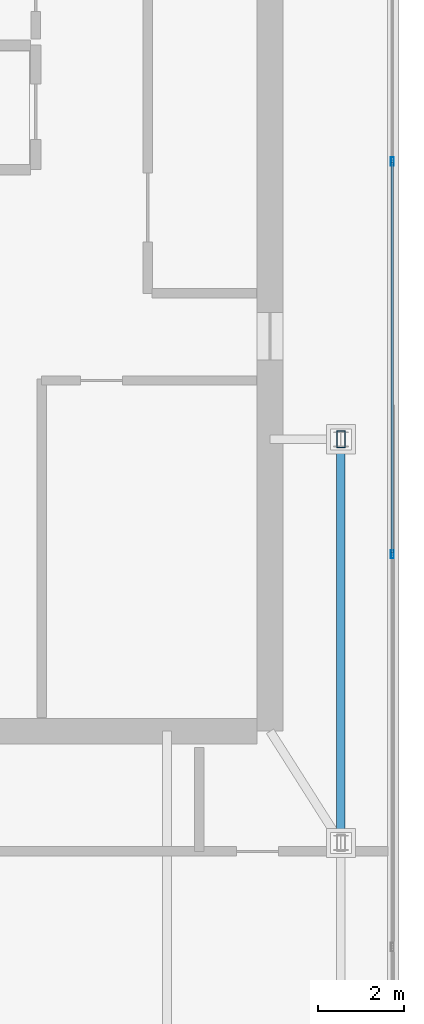
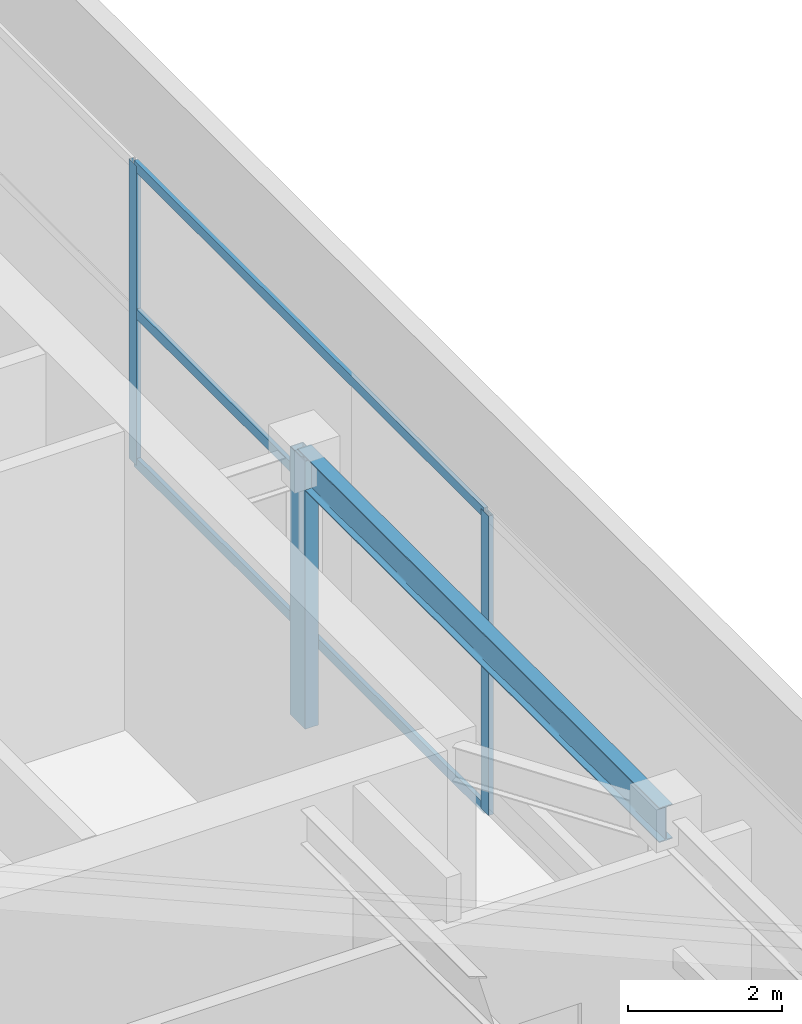
# One storey, part 12 of 20: 5 members, 2 beams, 1 element without a shape of its own.
"""IFC4 building model written with IfcOpenShell, lengths in metres."""

from ifc_helpers import new_model, si_unit, direction, frame, origin, origin_2d, place, context, subcontext, project, spatial, hollow_rectangle, i_section, extrude, material, layer, layer_set, material_profile, profile_set, type_object, element, aggregate, save


model = new_model("IFC4")

# Units and contexts
model_context = context("Model", 3, precision=1e-05, world=origin(), true_north=direction((0.0, 1.0)))
body_context = subcontext(model_context, "Body", "Model", "MODEL_VIEW")
ifc_project = project(units=[si_unit("LENGTHUNIT", "METRE"), si_unit("AREAUNIT", "SQUARE_METRE"), si_unit("VOLUMEUNIT", "CUBIC_METRE"), si_unit("PLANEANGLEUNIT", "RADIAN"), si_unit("MASSUNIT", "GRAM", prefix="KILO")], contexts=[model_context])

# Site, building, storey
site_placement = place(None, origin())
site = spatial("IfcSite", under=ifc_project, at=site_placement, CompositionType="ELEMENT")
building_placement = place(site_placement, origin())
building = spatial("IfcBuilding", under=site, at=building_placement, Name="Calvorn Quay Hotel", CompositionType="ELEMENT")
storey_placement = place(building_placement, frame((0.0, 0.0, 345.5)))
storey = spatial("IfcBuildingStorey", under=building, at=storey_placement, Name="L84", CompositionType="ELEMENT", Elevation=345.5)

# Beams
ifc_material_1 = material(Name="Steel Q355B", Category="steel")
ifc_material_profile_1 = material_profile(ifc_material_1, hollow_rectangle(XDim=0.199951171875, YDim=0.39990234375, WallThickness=0.013916015625, at=origin_2d()), Name="RHS400x200x14")
ifc_profile_set_1 = profile_set([ifc_material_profile_1], Name="Steel Q355B")
beam_type_1 = type_object("IfcBeamType", Name="BM-CRN-RAFTER", PredefinedType="BEAM", material=ifc_profile_set_1)
beam_1_placement = place(storey_placement, frame((16.64990234375, 23.60009765625, 0.25), z_axis=(0.0, 0.0, 1.0), x_axis=(1.0, 0.0, 0.0)))
element("IfcBeam", 1, at=beam_1_placement, inside=storey, type_object=beam_type_1, Name="Crown Raking Rafter L84-3", PredefinedType="BEAM", context=body_context, shape_type="SweptSolid", body=[
    extrude(hollow_rectangle(XDim=0.199951171875, YDim=0.39990234375, WallThickness=0.013916015625, at=origin_2d()), origin(), (0.0, 0.0, 1.0), 4.25),
])
ifc_material_2 = material(Name="Steel Q355B", Category="steel")
ifc_material_profile_2 = material_profile(ifc_material_2, i_section(OverallWidth=0.199951171875, OverallDepth=0.550048828125, WebThickness=0.010009765625, FlangeThickness=0.01611328125, FilletRadius=0.01806640625, at=origin_2d()), Name="HN550x200x10x16")
ifc_profile_set_2 = profile_set([ifc_material_profile_2], Name="Steel Q355B")
beam_type_2 = type_object("IfcBeamType", Name="BM-GIRD-UPP", PredefinedType="BEAM", material=ifc_profile_set_2)
beam_2_placement = place(storey_placement, frame((16.64990234375, 14.199951171875, 4.304931640625), z_axis=(0.0, 1.0, 0.0), x_axis=(-1.0, 0.0, 0.0)))
element("IfcBeam", 2, at=beam_2_placement, inside=storey, type_object=beam_type_2, Name="Beam BTG-L84-CE2", PredefinedType="BEAM", context=body_context, shape_type="SweptSolid", body=[
    extrude(i_section(OverallWidth=0.199951171875, OverallDepth=0.550048828125, WebThickness=0.010009765625, FlangeThickness=0.01611328125, FilletRadius=0.01806640625, at=origin_2d()), origin(), (0.0, 0.0, 1.0), 9.400146484375),
])

# Curtain wall, members
ifc_material_3 = material(Name="Pale Anodised Aluminium and Laminated Glass", Category="aluminium")
ifc_layer = layer(ifc_material_3, 0.219970703125)
ifc_layer_set = layer_set([ifc_layer], Name="CW-SYS-CRN")
curtain_wall_type = type_object("IfcCurtainWallType", Name="CW-SYS-CRN", PredefinedType="NOTDEFINED", material=ifc_layer_set)
curtain_wall_placement = place(storey_placement, origin())
curtain_wall = element("IfcCurtainWall", 3, at=curtain_wall_placement, inside=storey, type_object=curtain_wall_type, Name="Crown Curtain Wall L84-C2", PredefinedType="NOTDEFINED")
ifc_material_4 = material(Name="Pale Anodised Aluminium 6063-T6", Category="aluminium")
ifc_material_profile_3 = material_profile(ifc_material_4, hollow_rectangle(XDim=0.072021484375, YDim=0.195068359375, WallThickness=0.00390625, at=origin_2d()), Name="ALU-M195x72x4")
ifc_profile_set_3 = profile_set([ifc_material_profile_3], Name="Pale Anodised Aluminium 6063-T6")
member_type_1 = type_object("IfcMemberType", Name="CW-SYS-CRN-MUL", PredefinedType="MULLION", material=ifc_profile_set_3)
member_1_placement = place(storey_placement, frame((17.85009765625, 20.924072265625, 0.0), z_axis=(0.0, 0.0, 1.0), x_axis=(-1.0, 0.0, 0.0)))
member_1 = element("IfcMember", 4, at=member_1_placement, type_object=member_type_1, Name="CW-L84-C2 mullion 3", PredefinedType="MULLION", context=body_context, shape_type="SweptSolid", body=[
    extrude(hollow_rectangle(XDim=0.072021484375, YDim=0.195068359375, WallThickness=0.00390625, at=origin_2d()), origin(), (0.0, 0.0, 1.0), 4.75),
])
member_2_placement = place(storey_placement, frame((17.85009765625, 30.075927734375, 0.0), z_axis=(0.0, 0.0, 1.0), x_axis=(-1.0, 0.0, 0.0)))
member_2 = element("IfcMember", 5, at=member_2_placement, type_object=member_type_1, Name="CW-L84-C2 mullion 4", PredefinedType="MULLION", context=body_context, shape_type="SweptSolid", body=[
    extrude(hollow_rectangle(XDim=0.072021484375, YDim=0.195068359375, WallThickness=0.00390625, at=origin_2d()), origin(), (0.0, 0.0, 1.0), 4.75),
])
ifc_material_5 = material(Name="Pale Anodised Aluminium 6063-T6", Category="aluminium")
ifc_material_profile_4 = material_profile(ifc_material_5, hollow_rectangle(XDim=0.06201171875, YDim=0.159912109375, WallThickness=0.00341796875, at=origin_2d()), Name="ALU-T160x62x3.5")
ifc_profile_set_4 = profile_set([ifc_material_profile_4], Name="Pale Anodised Aluminium 6063-T6")
member_type_2 = type_object("IfcMemberType", Name="CW-SYS-CRN-TRN", PredefinedType="USERDEFINED", material=ifc_profile_set_4)
member_3_placement = place(storey_placement, frame((17.85009765625, 20.9541015625, 0.030029296875), z_axis=(0.0, 1.0, 0.0), x_axis=(-1.0, 0.0, 0.0)))
member_3 = element("IfcMember", 6, at=member_3_placement, type_object=member_type_2, Name="CW-L84-C2 transom 3.1", ObjectType="TRANSOM", PredefinedType="USERDEFINED", context=body_context, shape_type="SweptSolid", body=[
    extrude(hollow_rectangle(XDim=0.06201171875, YDim=0.159912109375, WallThickness=0.00341796875, at=origin_2d()), origin(), (0.0, 0.0, 1.0), 9.091796875),
])
member_4_placement = place(storey_placement, frame((17.85009765625, 20.9541015625, 2.39990234375), z_axis=(0.0, 1.0, 0.0), x_axis=(-1.0, 0.0, 0.0)))
member_4 = element("IfcMember", 7, at=member_4_placement, type_object=member_type_2, Name="CW-L84-C2 transom 3.2", ObjectType="TRANSOM", PredefinedType="USERDEFINED", context=body_context, shape_type="SweptSolid", body=[
    extrude(hollow_rectangle(XDim=0.06201171875, YDim=0.159912109375, WallThickness=0.00341796875, at=origin_2d()), origin(), (0.0, 0.0, 1.0), 9.091796875),
])
member_5_placement = place(storey_placement, frame((17.85009765625, 20.9541015625, 4.719970703125), z_axis=(0.0, 1.0, 0.0), x_axis=(-1.0, 0.0, 0.0)))
member_5 = element("IfcMember", 8, at=member_5_placement, type_object=member_type_2, Name="CW-L84-C2 transom 3.3", ObjectType="TRANSOM", PredefinedType="USERDEFINED", context=body_context, shape_type="SweptSolid", body=[
    extrude(hollow_rectangle(XDim=0.06201171875, YDim=0.159912109375, WallThickness=0.00341796875, at=origin_2d()), origin(), (0.0, 0.0, 1.0), 9.091796875),
])
aggregate(curtain_wall, [member_1, member_2, member_3, member_4, member_5])

save(model, "model.ifc")
